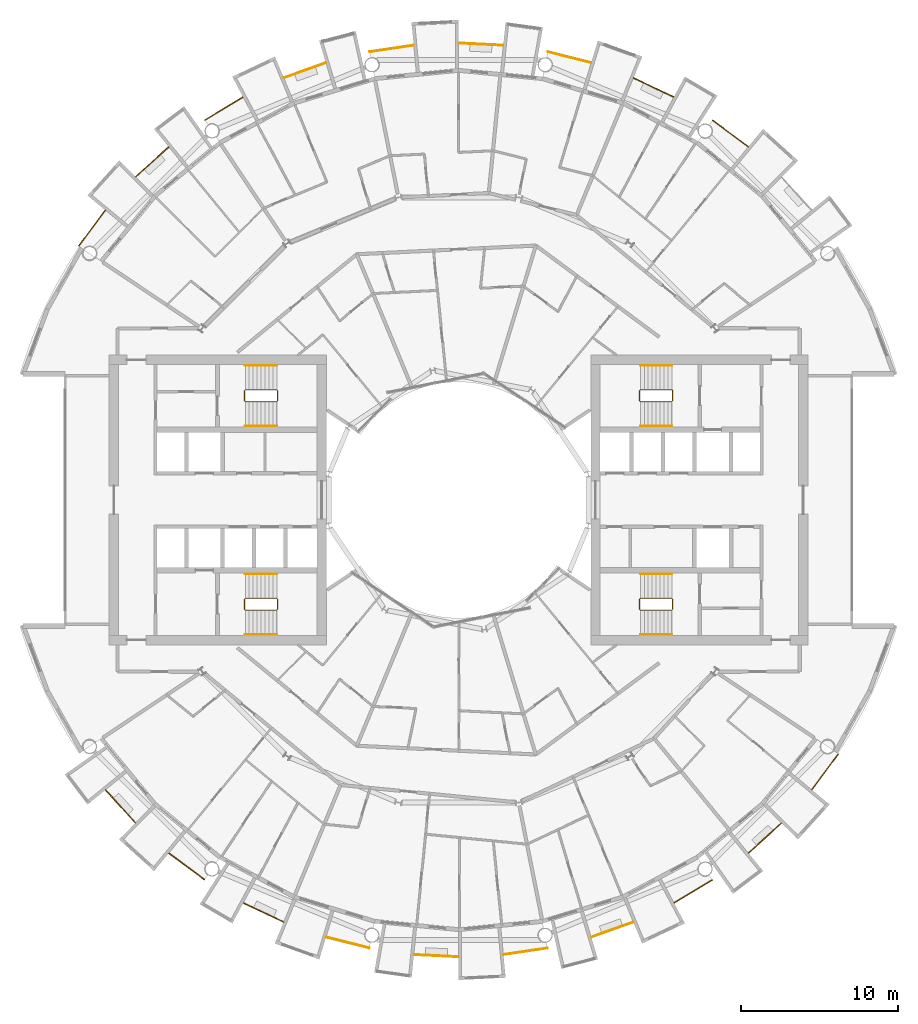
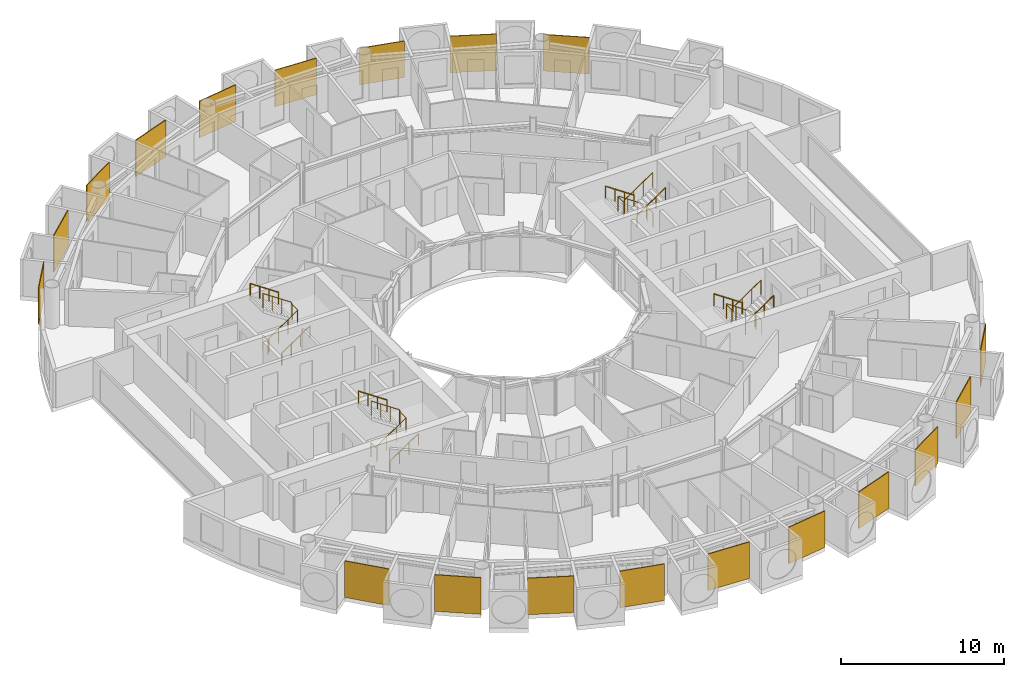
# One storey, part 26 of 27: 31 railings.
"""IFC4 building model written with IfcOpenShell, lengths in metres."""

from ifc_helpers import new_model, si_unit, direction, frame, origin, origin_2d, place, context, subcontext, project, spatial, polyline, circle, outline, extrude, material, layer, layer_set, type_object, element, save


model = new_model("IFC4")

# Units and contexts
model_context = context("Model", 3, precision=1e-05, world=origin(), true_north=direction((0.0, 1.0)))
body_context = subcontext(model_context, "Body", "Model", "MODEL_VIEW")
ifc_project = project(units=[si_unit("LENGTHUNIT", "METRE"), si_unit("AREAUNIT", "SQUARE_METRE"), si_unit("VOLUMEUNIT", "CUBIC_METRE"), si_unit("PLANEANGLEUNIT", "RADIAN"), si_unit("MASSUNIT", "GRAM", prefix="KILO")], contexts=[model_context])

# Site, building, storey
site_placement = place(None, origin())
site = spatial("IfcSite", under=ifc_project, at=site_placement, CompositionType="ELEMENT")
building_placement = place(site_placement, origin())
building = spatial("IfcBuilding", under=site, at=building_placement, Name="Maasbend Ring Residences", CompositionType="ELEMENT")
storey_placement = place(building_placement, frame((0.0, 0.0, 114.699951171875)))
storey = spatial("IfcBuildingStorey", under=building, at=storey_placement, Name="L32", CompositionType="ELEMENT", Elevation=114.699951171875)

# Railings
ifc_material_1 = material(Name="Pale anodised perforated aluminium", Category="aluminium")
ifc_layer = layer(ifc_material_1, 0.06005859375)
ifc_layer_set = layer_set([ifc_layer], Name="SCREEN-P")
railing_type_1 = type_object("IfcRailingType", Name="SCREEN-P", PredefinedType="GUARDRAIL", material=ifc_layer_set)
railing_1_placement = place(storey_placement, frame((0.0, 0.0, -0.030029296875)))
element("IfcRailing", 1, at=railing_1_placement, inside=storey, type_object=railing_type_1, Name="Perforated screen guard 2", PredefinedType="GUARDRAIL", context=body_context, shape_type="SweptSolid", body=[
    extrude(outline(polyline([(18.39697265625, 22.4169921875), (16.112060546875, 24.113037109375), (16.14697265625, 24.160888671875), (18.43310546875, 22.465087890625), (18.39697265625, 22.4169921875)])), origin(), (0.0, 0.0, 1.0), 2.72998046875),
])
railing_2_placement = place(storey_placement, frame((0.0, 0.0, -0.030029296875)))
element("IfcRailing", 2, at=railing_2_placement, inside=storey, type_object=railing_type_1, Name="Perforated screen guard 3", PredefinedType="GUARDRAIL", context=body_context, shape_type="SweptSolid", body=[
    extrude(outline(polyline([(13.6708984375, 25.575927734375), (11.097900390625, 26.79296875), (11.123046875, 26.846923828125), (13.696044921875, 25.6298828125), (13.6708984375, 25.575927734375)])), origin(), (0.0, 0.0, 1.0), 2.72998046875),
])
railing_3_placement = place(storey_placement, frame((0.0, 0.0, -0.030029296875)))
element("IfcRailing", 3, at=railing_3_placement, inside=storey, type_object=railing_type_1, Name="Perforated screen guard 4", PredefinedType="GUARDRAIL", context=body_context, shape_type="SweptSolid", body=[
    extrude(outline(polyline([(8.41796875, 27.7509765625), (5.657958984375, 28.443115234375), (5.672119140625, 28.5009765625), (8.43310546875, 27.80908203125), (8.41796875, 27.7509765625)])), origin(), (0.0, 0.0, 1.0), 2.72998046875),
])
railing_4_placement = place(storey_placement, frame((0.0, 0.0, -0.030029296875)))
element("IfcRailing", 4, at=railing_4_placement, inside=storey, type_object=railing_type_1, Name="Perforated screen guard 5", PredefinedType="GUARDRAIL", context=body_context, shape_type="SweptSolid", body=[
    extrude(outline(polyline([(2.842041015625, 28.860107421875), (0.0, 29.0), (0.0029296875, 29.06005859375), (2.844970703125, 28.919921875), (2.842041015625, 28.860107421875)])), origin(), (0.0, 0.0, 1.0), 2.72998046875),
])
railing_5_placement = place(storey_placement, frame((0.0, 0.0, -0.030029296875)))
element("IfcRailing", 5, at=railing_5_placement, inside=storey, type_object=railing_type_1, Name="Perforated screen guard 6", PredefinedType="GUARDRAIL", context=body_context, shape_type="SweptSolid", body=[
    extrude(outline(polyline([(-2.842041015625, 28.860107421875), (-5.657958984375, 28.443115234375), (-5.666015625, 28.501953125), (-2.85107421875, 28.919921875), (-2.842041015625, 28.860107421875)])), origin(), (0.0, 0.0, 1.0), 2.72998046875),
])
railing_6_placement = place(storey_placement, frame((0.0, 0.0, -0.030029296875)))
element("IfcRailing", 6, at=railing_6_placement, inside=storey, type_object=railing_type_1, Name="Perforated screen guard 7", PredefinedType="GUARDRAIL", context=body_context, shape_type="SweptSolid", body=[
    extrude(outline(polyline([(-8.41796875, 27.7509765625), (-11.097900390625, 26.79296875), (-11.117919921875, 26.84912109375), (-8.43798828125, 27.80810546875), (-8.41796875, 27.7509765625)])), origin(), (0.0, 0.0, 1.0), 2.72998046875),
])
railing_7_placement = place(storey_placement, frame((0.0, 0.0, -0.030029296875)))
element("IfcRailing", 7, at=railing_7_placement, inside=storey, type_object=railing_type_1, Name="Perforated screen guard 8", PredefinedType="GUARDRAIL", context=body_context, shape_type="SweptSolid", body=[
    extrude(outline(polyline([(-13.6708984375, 25.575927734375), (-16.112060546875, 24.113037109375), (-16.14208984375, 24.1640625), (-13.700927734375, 25.626953125), (-13.6708984375, 25.575927734375)])), origin(), (0.0, 0.0, 1.0), 2.72998046875),
])
railing_8_placement = place(storey_placement, frame((0.0, 0.0, -0.030029296875)))
element("IfcRailing", 8, at=railing_8_placement, inside=storey, type_object=railing_type_1, Name="Perforated screen guard 9", PredefinedType="GUARDRAIL", context=body_context, shape_type="SweptSolid", body=[
    extrude(outline(polyline([(-18.39697265625, 22.4169921875), (-20.506103515625, 20.506103515625), (-20.5458984375, 20.551025390625), (-18.43798828125, 22.4619140625), (-18.39697265625, 22.4169921875)])), origin(), (0.0, 0.0, 1.0), 2.72998046875),
])
railing_9_placement = place(storey_placement, frame((0.0, 0.0, -0.030029296875)))
element("IfcRailing", 9, at=railing_9_placement, inside=storey, type_object=railing_type_1, Name="Perforated screen guard 10", PredefinedType="GUARDRAIL", context=body_context, shape_type="SweptSolid", body=[
    extrude(outline(polyline([(-22.4169921875, 18.39697265625), (-24.113037109375, 16.112060546875), (-24.160888671875, 16.14697265625), (-22.465087890625, 18.43310546875), (-22.4169921875, 18.39697265625)])), origin(), (0.0, 0.0, 1.0), 2.72998046875),
])
railing_10_placement = place(storey_placement, frame((0.0, 0.0, -0.030029296875)))
element("IfcRailing", 10, at=railing_10_placement, inside=storey, type_object=railing_type_1, Name="Perforated screen guard 1", PredefinedType="GUARDRAIL", context=body_context, shape_type="SweptSolid", body=[
    extrude(outline(polyline([(-22.4169921875, -18.39697265625), (-20.506103515625, -20.506103515625), (-20.551025390625, -20.5458984375), (-22.4619140625, -18.43798828125), (-22.4169921875, -18.39697265625)])), origin(), (0.0, 0.0, 1.0), 2.72998046875),
])
railing_11_placement = place(storey_placement, frame((0.0, 0.0, -0.030029296875)))
element("IfcRailing", 11, at=railing_11_placement, inside=storey, type_object=railing_type_1, Name="Perforated screen guard 2", PredefinedType="GUARDRAIL", context=body_context, shape_type="SweptSolid", body=[
    extrude(outline(polyline([(-18.39697265625, -22.4169921875), (-16.112060546875, -24.113037109375), (-16.14697265625, -24.160888671875), (-18.43310546875, -22.465087890625), (-18.39697265625, -22.4169921875)])), origin(), (0.0, 0.0, 1.0), 2.72998046875),
])
railing_12_placement = place(storey_placement, frame((0.0, 0.0, -0.030029296875)))
element("IfcRailing", 12, at=railing_12_placement, inside=storey, type_object=railing_type_1, Name="Perforated screen guard 3", PredefinedType="GUARDRAIL", context=body_context, shape_type="SweptSolid", body=[
    extrude(outline(polyline([(-13.6708984375, -25.575927734375), (-11.097900390625, -26.79296875), (-11.123046875, -26.846923828125), (-13.696044921875, -25.6298828125), (-13.6708984375, -25.575927734375)])), origin(), (0.0, 0.0, 1.0), 2.72998046875),
])
railing_13_placement = place(storey_placement, frame((0.0, 0.0, -0.030029296875)))
element("IfcRailing", 13, at=railing_13_placement, inside=storey, type_object=railing_type_1, Name="Perforated screen guard 4", PredefinedType="GUARDRAIL", context=body_context, shape_type="SweptSolid", body=[
    extrude(outline(polyline([(-8.41796875, -27.7509765625), (-5.657958984375, -28.443115234375), (-5.672119140625, -28.5009765625), (-8.43310546875, -27.80908203125), (-8.41796875, -27.7509765625)])), origin(), (0.0, 0.0, 1.0), 2.72998046875),
])
railing_14_placement = place(storey_placement, frame((0.0, 0.0, -0.030029296875)))
element("IfcRailing", 14, at=railing_14_placement, inside=storey, type_object=railing_type_1, Name="Perforated screen guard 5", PredefinedType="GUARDRAIL", context=body_context, shape_type="SweptSolid", body=[
    extrude(outline(polyline([(-2.842041015625, -28.860107421875), (0.0, -29.0), (-0.0029296875, -29.06005859375), (-2.844970703125, -28.919921875), (-2.842041015625, -28.860107421875)])), origin(), (0.0, 0.0, 1.0), 2.72998046875),
])
railing_15_placement = place(storey_placement, frame((0.0, 0.0, -0.030029296875)))
element("IfcRailing", 15, at=railing_15_placement, inside=storey, type_object=railing_type_1, Name="Perforated screen guard 6", PredefinedType="GUARDRAIL", context=body_context, shape_type="SweptSolid", body=[
    extrude(outline(polyline([(2.842041015625, -28.860107421875), (5.657958984375, -28.443115234375), (5.666015625, -28.501953125), (2.85107421875, -28.919921875), (2.842041015625, -28.860107421875)])), origin(), (0.0, 0.0, 1.0), 2.72998046875),
])
railing_16_placement = place(storey_placement, frame((0.0, 0.0, -0.030029296875)))
element("IfcRailing", 16, at=railing_16_placement, inside=storey, type_object=railing_type_1, Name="Perforated screen guard 7", PredefinedType="GUARDRAIL", context=body_context, shape_type="SweptSolid", body=[
    extrude(outline(polyline([(8.41796875, -27.7509765625), (11.097900390625, -26.79296875), (11.117919921875, -26.84912109375), (8.43798828125, -27.80810546875), (8.41796875, -27.7509765625)])), origin(), (0.0, 0.0, 1.0), 2.72998046875),
])
railing_17_placement = place(storey_placement, frame((0.0, 0.0, -0.030029296875)))
element("IfcRailing", 17, at=railing_17_placement, inside=storey, type_object=railing_type_1, Name="Perforated screen guard 8", PredefinedType="GUARDRAIL", context=body_context, shape_type="SweptSolid", body=[
    extrude(outline(polyline([(13.6708984375, -25.575927734375), (16.112060546875, -24.113037109375), (16.14208984375, -24.1640625), (13.700927734375, -25.626953125), (13.6708984375, -25.575927734375)])), origin(), (0.0, 0.0, 1.0), 2.72998046875),
])
railing_18_placement = place(storey_placement, frame((0.0, 0.0, -0.030029296875)))
element("IfcRailing", 18, at=railing_18_placement, inside=storey, type_object=railing_type_1, Name="Perforated screen guard 9", PredefinedType="GUARDRAIL", context=body_context, shape_type="SweptSolid", body=[
    extrude(outline(polyline([(18.39697265625, -22.4169921875), (20.506103515625, -20.506103515625), (20.5458984375, -20.551025390625), (18.43798828125, -22.4619140625), (18.39697265625, -22.4169921875)])), origin(), (0.0, 0.0, 1.0), 2.72998046875),
])
railing_19_placement = place(storey_placement, frame((0.0, 0.0, -0.030029296875)))
element("IfcRailing", 19, at=railing_19_placement, inside=storey, type_object=railing_type_1, Name="Perforated screen guard 10", PredefinedType="GUARDRAIL", context=body_context, shape_type="SweptSolid", body=[
    extrude(outline(polyline([(22.4169921875, -18.39697265625), (24.113037109375, -16.112060546875), (24.160888671875, -16.14697265625), (22.465087890625, -18.43310546875), (22.4169921875, -18.39697265625)])), origin(), (0.0, 0.0, 1.0), 2.72998046875),
])
ifc_material_2 = material(Name="Stainless steel 316", Category="steel")
railing_type_2 = type_object("IfcRailingType", Name="STAIR GUARD 1100", PredefinedType="GUARDRAIL", material=ifc_material_2)
railing_20_placement = place(storey_placement, frame((13.60009765625, 6.300048828125, 0.0)))
element("IfcRailing", 20, at=railing_20_placement, inside=storey, type_object=railing_type_2, Name="L32 ST-E1 stair guard 1", PredefinedType="GUARDRAIL", context=body_context, shape_type="SweptSolid", body=[
    extrude(circle(Radius=0.02392578125, at=origin_2d()), frame((0.0, 0.0, 1.076171875), z_axis=(0.0, 1.0, 0.0), x_axis=(-1.0, 0.0, 0.0)), (0.0, 0.0, 1.0), 0.64990234375),
    extrude(circle(Radius=0.02392578125, at=origin_2d()), frame((0.0, 0.64990234375, 1.076171875), z_axis=(-0.272562526181, 0.272562526181, 0.92272386912), x_axis=(-0.707106781187, -0.707106781187, 0.0)), (0.0, 0.0, 1.0), 0.18359375),
    extrude(circle(Radius=0.02392578125, at=origin_2d()), frame((-0.050048828125, 0.699951171875, 1.24560546875), z_axis=(-0.827750655447, 0.0, 0.561096116906), x_axis=(0.0, -1.0, 0.0)), (0.0, 0.0, 1.0), 2.416259765625),
    extrude(circle(Radius=0.02392578125, at=origin_2d()), frame((-2.050048828125, 0.699951171875, 2.60107421875), z_axis=(-0.707106781187, -0.707106781187, 0.0), x_axis=(0.707106781187, -0.707106781187, 0.0)), (0.0, 0.0, 1.0), 0.07080078125),
    extrude(circle(Radius=0.02392578125, at=origin_2d()), frame((-2.10009765625, 0.64990234375, 2.60107421875), z_axis=(0.0, -1.0, 0.0), x_axis=(1.0, 0.0, 0.0)), (0.0, 0.0, 1.0), 0.64990234375),
    extrude(circle(Radius=0.02392578125, at=origin_2d()), frame((-2.10009765625, 0.0, 2.60107421875), z_axis=(0.272562526181, -0.272562526181, 0.92272386912), x_axis=(0.707106781187, 0.707106781187, 0.0)), (0.0, 0.0, 1.0), 0.18359375),
    extrude(circle(Radius=0.02392578125, at=origin_2d()), frame((-2.050048828125, -0.050048828125, 2.7705078125), z_axis=(0.827797584762, 0.0, 0.561026878735), x_axis=(0.0, 1.0, 0.0)), (0.0, 0.0, 1.0), 2.416015625),
    extrude(circle(Radius=0.02099609375, at=origin_2d()), origin(), (0.0, 0.0, 1.0), 1.052001953125),
    extrude(circle(Radius=0.02099609375, at=origin_2d()), frame((0.0, 0.64990234375, 0.0)), (0.0, 0.0, 1.0), 1.052001953125),
    extrude(circle(Radius=0.02099609375, at=origin_2d()), frame((-0.050048828125, 0.699951171875, 0.16943359375)), (0.0, 0.0, 1.0), 1.052001953125),
    extrude(circle(Radius=0.02099609375, at=origin_2d()), frame((-0.716796875, 0.699951171875, 0.621337890625)), (0.0, 0.0, 1.0), 1.052001953125),
    extrude(circle(Radius=0.02099609375, at=origin_2d()), frame((-1.38330078125, 0.699951171875, 1.0732421875)), (0.0, 0.0, 1.0), 1.052001953125),
    extrude(circle(Radius=0.02099609375, at=origin_2d()), frame((-2.050048828125, 0.699951171875, 1.525146484375)), (0.0, 0.0, 1.0), 1.052001953125),
    extrude(circle(Radius=0.02099609375, at=origin_2d()), frame((-2.10009765625, 0.64990234375, 1.525146484375)), (0.0, 0.0, 1.0), 1.052001953125),
    extrude(circle(Radius=0.02099609375, at=origin_2d()), frame((-2.10009765625, 0.0, 1.525146484375)), (0.0, 0.0, 1.0), 1.052001953125),
    extrude(circle(Radius=0.02099609375, at=origin_2d()), frame((-2.050048828125, -0.050048828125, 1.694580078125)), (0.0, 0.0, 1.0), 1.052001953125),
    extrude(circle(Radius=0.02099609375, at=origin_2d()), frame((-1.38330078125, -0.050048828125, 2.146484375)), (0.0, 0.0, 1.0), 1.052001953125),
    extrude(circle(Radius=0.02099609375, at=origin_2d()), frame((-0.716796875, -0.050048828125, 2.59814453125)), (0.0, 0.0, 1.0), 1.052001953125),
    extrude(circle(Radius=0.02099609375, at=origin_2d()), frame((-0.050048828125, -0.050048828125, 3.050048828125)), (0.0, 0.0, 1.0), 1.052001953125),
])
railing_21_placement = place(storey_placement, frame((13.60009765625, -6.949951171875, 0.0)))
element("IfcRailing", 21, at=railing_21_placement, inside=storey, type_object=railing_type_2, Name="L32 ST-E2 stair guard 1", PredefinedType="GUARDRAIL", context=body_context, shape_type="SweptSolid", body=[
    extrude(circle(Radius=0.02392578125, at=origin_2d()), frame((0.0, 0.0, 1.076171875), z_axis=(0.0, 1.0, 0.0), x_axis=(-1.0, 0.0, 0.0)), (0.0, 0.0, 1.0), 0.64990234375),
    extrude(circle(Radius=0.02392578125, at=origin_2d()), frame((0.0, 0.64990234375, 1.076171875), z_axis=(-0.272562526181, 0.272562526181, 0.92272386912), x_axis=(-0.707106781187, -0.707106781187, 0.0)), (0.0, 0.0, 1.0), 0.18359375),
    extrude(circle(Radius=0.02392578125, at=origin_2d()), frame((-0.050048828125, 0.699951171875, 1.24560546875), z_axis=(-0.827750655447, 0.0, 0.561096116906), x_axis=(0.0, -1.0, 0.0)), (0.0, 0.0, 1.0), 2.416259765625),
    extrude(circle(Radius=0.02392578125, at=origin_2d()), frame((-2.050048828125, 0.699951171875, 2.60107421875), z_axis=(-0.707106781187, -0.707106781187, 0.0), x_axis=(0.707106781187, -0.707106781187, 0.0)), (0.0, 0.0, 1.0), 0.07080078125),
    extrude(circle(Radius=0.02392578125, at=origin_2d()), frame((-2.10009765625, 0.64990234375, 2.60107421875), z_axis=(0.0, -1.0, 0.0), x_axis=(1.0, 0.0, 0.0)), (0.0, 0.0, 1.0), 0.64990234375),
    extrude(circle(Radius=0.02392578125, at=origin_2d()), frame((-2.10009765625, 0.0, 2.60107421875), z_axis=(0.272562526181, -0.272562526181, 0.92272386912), x_axis=(0.707106781187, 0.707106781187, 0.0)), (0.0, 0.0, 1.0), 0.18359375),
    extrude(circle(Radius=0.02392578125, at=origin_2d()), frame((-2.050048828125, -0.050048828125, 2.7705078125), z_axis=(0.827797584762, 0.0, 0.561026878735), x_axis=(0.0, 1.0, 0.0)), (0.0, 0.0, 1.0), 2.416015625),
    extrude(circle(Radius=0.02099609375, at=origin_2d()), origin(), (0.0, 0.0, 1.0), 1.052001953125),
    extrude(circle(Radius=0.02099609375, at=origin_2d()), frame((0.0, 0.64990234375, 0.0)), (0.0, 0.0, 1.0), 1.052001953125),
    extrude(circle(Radius=0.02099609375, at=origin_2d()), frame((-0.050048828125, 0.699951171875, 0.16943359375)), (0.0, 0.0, 1.0), 1.052001953125),
    extrude(circle(Radius=0.02099609375, at=origin_2d()), frame((-0.716796875, 0.699951171875, 0.621337890625)), (0.0, 0.0, 1.0), 1.052001953125),
    extrude(circle(Radius=0.02099609375, at=origin_2d()), frame((-1.38330078125, 0.699951171875, 1.0732421875)), (0.0, 0.0, 1.0), 1.052001953125),
    extrude(circle(Radius=0.02099609375, at=origin_2d()), frame((-2.050048828125, 0.699951171875, 1.525146484375)), (0.0, 0.0, 1.0), 1.052001953125),
    extrude(circle(Radius=0.02099609375, at=origin_2d()), frame((-2.10009765625, 0.64990234375, 1.525146484375)), (0.0, 0.0, 1.0), 1.052001953125),
    extrude(circle(Radius=0.02099609375, at=origin_2d()), frame((-2.10009765625, 0.0, 1.525146484375)), (0.0, 0.0, 1.0), 1.052001953125),
    extrude(circle(Radius=0.02099609375, at=origin_2d()), frame((-2.050048828125, -0.050048828125, 1.694580078125)), (0.0, 0.0, 1.0), 1.052001953125),
    extrude(circle(Radius=0.02099609375, at=origin_2d()), frame((-1.38330078125, -0.050048828125, 2.146484375)), (0.0, 0.0, 1.0), 1.052001953125),
    extrude(circle(Radius=0.02099609375, at=origin_2d()), frame((-0.716796875, -0.050048828125, 2.59814453125)), (0.0, 0.0, 1.0), 1.052001953125),
    extrude(circle(Radius=0.02099609375, at=origin_2d()), frame((-0.050048828125, -0.050048828125, 3.050048828125)), (0.0, 0.0, 1.0), 1.052001953125),
])
railing_22_placement = place(storey_placement, frame((-13.60009765625, -6.300048828125, 0.0)))
element("IfcRailing", 22, at=railing_22_placement, inside=storey, type_object=railing_type_2, Name="L32 ST-W1 stair guard 1", PredefinedType="GUARDRAIL", context=body_context, shape_type="SweptSolid", body=[
    extrude(circle(Radius=0.02392578125, at=origin_2d()), frame((0.0, 0.0, 1.076171875), z_axis=(0.0, -1.0, 0.0), x_axis=(1.0, 0.0, 0.0)), (0.0, 0.0, 1.0), 0.64990234375),
    extrude(circle(Radius=0.02392578125, at=origin_2d()), frame((0.0, -0.64990234375, 1.076171875), z_axis=(0.272562526181, -0.272562526181, 0.92272386912), x_axis=(0.707106781187, 0.707106781187, 0.0)), (0.0, 0.0, 1.0), 0.18359375),
    extrude(circle(Radius=0.02392578125, at=origin_2d()), frame((0.050048828125, -0.699951171875, 1.24560546875), z_axis=(0.827750655447, 0.0, 0.561096116906), x_axis=(0.0, 1.0, 0.0)), (0.0, 0.0, 1.0), 2.416259765625),
    extrude(circle(Radius=0.02392578125, at=origin_2d()), frame((2.050048828125, -0.699951171875, 2.60107421875), z_axis=(0.707106781187, 0.707106781187, 0.0), x_axis=(-0.707106781187, 0.707106781187, 0.0)), (0.0, 0.0, 1.0), 0.07080078125),
    extrude(circle(Radius=0.02392578125, at=origin_2d()), frame((2.10009765625, -0.64990234375, 2.60107421875), z_axis=(0.0, 1.0, 0.0), x_axis=(-1.0, 0.0, 0.0)), (0.0, 0.0, 1.0), 0.64990234375),
    extrude(circle(Radius=0.02392578125, at=origin_2d()), frame((2.10009765625, 0.0, 2.60107421875), z_axis=(-0.272562526181, 0.272562526181, 0.92272386912), x_axis=(-0.707106781187, -0.707106781187, 0.0)), (0.0, 0.0, 1.0), 0.18359375),
    extrude(circle(Radius=0.02392578125, at=origin_2d()), frame((2.050048828125, 0.050048828125, 2.7705078125), z_axis=(-0.827797584762, 0.0, 0.561026878735), x_axis=(0.0, -1.0, 0.0)), (0.0, 0.0, 1.0), 2.416015625),
    extrude(circle(Radius=0.02099609375, at=origin_2d()), origin(), (0.0, 0.0, 1.0), 1.052001953125),
    extrude(circle(Radius=0.02099609375, at=origin_2d()), frame((0.0, -0.64990234375, 0.0)), (0.0, 0.0, 1.0), 1.052001953125),
    extrude(circle(Radius=0.02099609375, at=origin_2d()), frame((0.050048828125, -0.699951171875, 0.16943359375)), (0.0, 0.0, 1.0), 1.052001953125),
    extrude(circle(Radius=0.02099609375, at=origin_2d()), frame((0.716796875, -0.699951171875, 0.621337890625)), (0.0, 0.0, 1.0), 1.052001953125),
    extrude(circle(Radius=0.02099609375, at=origin_2d()), frame((1.38330078125, -0.699951171875, 1.0732421875)), (0.0, 0.0, 1.0), 1.052001953125),
    extrude(circle(Radius=0.02099609375, at=origin_2d()), frame((2.050048828125, -0.699951171875, 1.525146484375)), (0.0, 0.0, 1.0), 1.052001953125),
    extrude(circle(Radius=0.02099609375, at=origin_2d()), frame((2.10009765625, -0.64990234375, 1.525146484375)), (0.0, 0.0, 1.0), 1.052001953125),
    extrude(circle(Radius=0.02099609375, at=origin_2d()), frame((2.10009765625, 0.0, 1.525146484375)), (0.0, 0.0, 1.0), 1.052001953125),
    extrude(circle(Radius=0.02099609375, at=origin_2d()), frame((2.050048828125, 0.050048828125, 1.694580078125)), (0.0, 0.0, 1.0), 1.052001953125),
    extrude(circle(Radius=0.02099609375, at=origin_2d()), frame((1.38330078125, 0.050048828125, 2.146484375)), (0.0, 0.0, 1.0), 1.052001953125),
    extrude(circle(Radius=0.02099609375, at=origin_2d()), frame((0.716796875, 0.050048828125, 2.59814453125)), (0.0, 0.0, 1.0), 1.052001953125),
    extrude(circle(Radius=0.02099609375, at=origin_2d()), frame((0.050048828125, 0.050048828125, 3.050048828125)), (0.0, 0.0, 1.0), 1.052001953125),
])
railing_23_placement = place(storey_placement, frame((-13.60009765625, 6.949951171875, 0.0)))
element("IfcRailing", 23, at=railing_23_placement, inside=storey, type_object=railing_type_2, Name="L32 ST-W2 stair guard 1", PredefinedType="GUARDRAIL", context=body_context, shape_type="SweptSolid", body=[
    extrude(circle(Radius=0.02392578125, at=origin_2d()), frame((0.0, 0.0, 1.076171875), z_axis=(0.0, -1.0, 0.0), x_axis=(1.0, 0.0, 0.0)), (0.0, 0.0, 1.0), 0.64990234375),
    extrude(circle(Radius=0.02392578125, at=origin_2d()), frame((0.0, -0.64990234375, 1.076171875), z_axis=(0.272562526181, -0.272562526181, 0.92272386912), x_axis=(0.707106781187, 0.707106781187, 0.0)), (0.0, 0.0, 1.0), 0.18359375),
    extrude(circle(Radius=0.02392578125, at=origin_2d()), frame((0.050048828125, -0.699951171875, 1.24560546875), z_axis=(0.827750655447, 0.0, 0.561096116906), x_axis=(0.0, 1.0, 0.0)), (0.0, 0.0, 1.0), 2.416259765625),
    extrude(circle(Radius=0.02392578125, at=origin_2d()), frame((2.050048828125, -0.699951171875, 2.60107421875), z_axis=(0.707106781187, 0.707106781187, 0.0), x_axis=(-0.707106781187, 0.707106781187, 0.0)), (0.0, 0.0, 1.0), 0.07080078125),
    extrude(circle(Radius=0.02392578125, at=origin_2d()), frame((2.10009765625, -0.64990234375, 2.60107421875), z_axis=(0.0, 1.0, 0.0), x_axis=(-1.0, 0.0, 0.0)), (0.0, 0.0, 1.0), 0.64990234375),
    extrude(circle(Radius=0.02392578125, at=origin_2d()), frame((2.10009765625, 0.0, 2.60107421875), z_axis=(-0.272562526181, 0.272562526181, 0.92272386912), x_axis=(-0.707106781187, -0.707106781187, 0.0)), (0.0, 0.0, 1.0), 0.18359375),
    extrude(circle(Radius=0.02392578125, at=origin_2d()), frame((2.050048828125, 0.050048828125, 2.7705078125), z_axis=(-0.827797584762, 0.0, 0.561026878735), x_axis=(0.0, -1.0, 0.0)), (0.0, 0.0, 1.0), 2.416015625),
    extrude(circle(Radius=0.02099609375, at=origin_2d()), origin(), (0.0, 0.0, 1.0), 1.052001953125),
    extrude(circle(Radius=0.02099609375, at=origin_2d()), frame((0.0, -0.64990234375, 0.0)), (0.0, 0.0, 1.0), 1.052001953125),
    extrude(circle(Radius=0.02099609375, at=origin_2d()), frame((0.050048828125, -0.699951171875, 0.16943359375)), (0.0, 0.0, 1.0), 1.052001953125),
    extrude(circle(Radius=0.02099609375, at=origin_2d()), frame((0.716796875, -0.699951171875, 0.621337890625)), (0.0, 0.0, 1.0), 1.052001953125),
    extrude(circle(Radius=0.02099609375, at=origin_2d()), frame((1.38330078125, -0.699951171875, 1.0732421875)), (0.0, 0.0, 1.0), 1.052001953125),
    extrude(circle(Radius=0.02099609375, at=origin_2d()), frame((2.050048828125, -0.699951171875, 1.525146484375)), (0.0, 0.0, 1.0), 1.052001953125),
    extrude(circle(Radius=0.02099609375, at=origin_2d()), frame((2.10009765625, -0.64990234375, 1.525146484375)), (0.0, 0.0, 1.0), 1.052001953125),
    extrude(circle(Radius=0.02099609375, at=origin_2d()), frame((2.10009765625, 0.0, 1.525146484375)), (0.0, 0.0, 1.0), 1.052001953125),
    extrude(circle(Radius=0.02099609375, at=origin_2d()), frame((2.050048828125, 0.050048828125, 1.694580078125)), (0.0, 0.0, 1.0), 1.052001953125),
    extrude(circle(Radius=0.02099609375, at=origin_2d()), frame((1.38330078125, 0.050048828125, 2.146484375)), (0.0, 0.0, 1.0), 1.052001953125),
    extrude(circle(Radius=0.02099609375, at=origin_2d()), frame((0.716796875, 0.050048828125, 2.59814453125)), (0.0, 0.0, 1.0), 1.052001953125),
    extrude(circle(Radius=0.02099609375, at=origin_2d()), frame((0.050048828125, 0.050048828125, 3.050048828125)), (0.0, 0.0, 1.0), 1.052001953125),
])
ifc_material_3 = material(Name="Stainless steel 316", Category="steel")
railing_type_3 = type_object("IfcRailingType", Name="STAIR HANDRAIL 900", PredefinedType="HANDRAIL", material=ifc_material_3)
railing_24_placement = place(storey_placement, frame((13.550048828125, 8.550048828125, 0.16943359375)))
element("IfcRailing", 24, at=railing_24_placement, inside=storey, type_object=railing_type_3, Name="L32 ST-E1 stair handrail 1", PredefinedType="HANDRAIL", context=body_context, shape_type="SweptSolid", body=[
    extrude(circle(Radius=0.02392578125, at=origin_2d()), frame((0.0, 0.0, 0.8759765625), z_axis=(-0.827750655447, 0.0, 0.561096116906), x_axis=(0.0, -1.0, 0.0)), (0.0, 0.0, 1.0), 2.416259765625),
    extrude(circle(Radius=0.02099609375, at=origin_2d()), origin(), (0.0, 0.0, 1.0), 0.851806640625),
    extrude(circle(Radius=0.02099609375, at=origin_2d()), frame((-0.666748046875, 0.0, 0.451904296875)), (0.0, 0.0, 1.0), 0.851806640625),
    extrude(circle(Radius=0.02099609375, at=origin_2d()), frame((-1.333251953125, 0.0, 0.90380859375)), (0.0, 0.0, 1.0), 0.851806640625),
    extrude(circle(Radius=0.02099609375, at=origin_2d()), frame((-2.0, 0.0, 1.355712890625)), (0.0, 0.0, 1.0), 0.851806640625),
])
railing_25_placement = place(storey_placement, frame((11.550048828125, 4.699951171875, 1.694580078125)))
element("IfcRailing", 25, at=railing_25_placement, inside=storey, type_object=railing_type_3, Name="L32 ST-E1 stair handrail 2", PredefinedType="HANDRAIL", context=body_context, shape_type="SweptSolid", body=[
    extrude(circle(Radius=0.02392578125, at=origin_2d()), frame((0.0, 0.0, 0.8759765625), z_axis=(0.827797584762, 0.0, 0.561026878735), x_axis=(0.0, 1.0, 0.0)), (0.0, 0.0, 1.0), 2.416015625),
    extrude(circle(Radius=0.02099609375, at=origin_2d()), origin(), (0.0, 0.0, 1.0), 0.851806640625),
    extrude(circle(Radius=0.02099609375, at=origin_2d()), frame((0.666748046875, 0.0, 0.451904296875)), (0.0, 0.0, 1.0), 0.851806640625),
    extrude(circle(Radius=0.02099609375, at=origin_2d()), frame((1.333251953125, 0.0, 0.903564453125)), (0.0, 0.0, 1.0), 0.851806640625),
    extrude(circle(Radius=0.02099609375, at=origin_2d()), frame((2.0, 0.0, 1.35546875)), (0.0, 0.0, 1.0), 0.851806640625),
])
railing_26_placement = place(storey_placement, frame((13.550048828125, -4.699951171875, 0.16943359375)))
element("IfcRailing", 26, at=railing_26_placement, inside=storey, type_object=railing_type_3, Name="L32 ST-E2 stair handrail 1", PredefinedType="HANDRAIL", context=body_context, shape_type="SweptSolid", body=[
    extrude(circle(Radius=0.02392578125, at=origin_2d()), frame((0.0, 0.0, 0.8759765625), z_axis=(-0.827750655447, 0.0, 0.561096116906), x_axis=(0.0, -1.0, 0.0)), (0.0, 0.0, 1.0), 2.416259765625),
    extrude(circle(Radius=0.02099609375, at=origin_2d()), origin(), (0.0, 0.0, 1.0), 0.851806640625),
    extrude(circle(Radius=0.02099609375, at=origin_2d()), frame((-0.666748046875, 0.0, 0.451904296875)), (0.0, 0.0, 1.0), 0.851806640625),
    extrude(circle(Radius=0.02099609375, at=origin_2d()), frame((-1.333251953125, 0.0, 0.90380859375)), (0.0, 0.0, 1.0), 0.851806640625),
    extrude(circle(Radius=0.02099609375, at=origin_2d()), frame((-2.0, 0.0, 1.355712890625)), (0.0, 0.0, 1.0), 0.851806640625),
])
railing_27_placement = place(storey_placement, frame((11.550048828125, -8.550048828125, 1.694580078125)))
element("IfcRailing", 27, at=railing_27_placement, inside=storey, type_object=railing_type_3, Name="L32 ST-E2 stair handrail 2", PredefinedType="HANDRAIL", context=body_context, shape_type="SweptSolid", body=[
    extrude(circle(Radius=0.02392578125, at=origin_2d()), frame((0.0, 0.0, 0.8759765625), z_axis=(0.827797584762, 0.0, 0.561026878735), x_axis=(0.0, 1.0, 0.0)), (0.0, 0.0, 1.0), 2.416015625),
    extrude(circle(Radius=0.02099609375, at=origin_2d()), origin(), (0.0, 0.0, 1.0), 0.851806640625),
    extrude(circle(Radius=0.02099609375, at=origin_2d()), frame((0.666748046875, 0.0, 0.451904296875)), (0.0, 0.0, 1.0), 0.851806640625),
    extrude(circle(Radius=0.02099609375, at=origin_2d()), frame((1.333251953125, 0.0, 0.903564453125)), (0.0, 0.0, 1.0), 0.851806640625),
    extrude(circle(Radius=0.02099609375, at=origin_2d()), frame((2.0, 0.0, 1.35546875)), (0.0, 0.0, 1.0), 0.851806640625),
])
railing_28_placement = place(storey_placement, frame((-13.550048828125, -8.550048828125, 0.16943359375)))
element("IfcRailing", 28, at=railing_28_placement, inside=storey, type_object=railing_type_3, Name="L32 ST-W1 stair handrail 1", PredefinedType="HANDRAIL", context=body_context, shape_type="SweptSolid", body=[
    extrude(circle(Radius=0.02392578125, at=origin_2d()), frame((0.0, 0.0, 0.8759765625), z_axis=(0.827750655447, 0.0, 0.561096116906), x_axis=(0.0, 1.0, 0.0)), (0.0, 0.0, 1.0), 2.416259765625),
    extrude(circle(Radius=0.02099609375, at=origin_2d()), origin(), (0.0, 0.0, 1.0), 0.851806640625),
    extrude(circle(Radius=0.02099609375, at=origin_2d()), frame((0.666748046875, 0.0, 0.451904296875)), (0.0, 0.0, 1.0), 0.851806640625),
    extrude(circle(Radius=0.02099609375, at=origin_2d()), frame((1.333251953125, 0.0, 0.90380859375)), (0.0, 0.0, 1.0), 0.851806640625),
    extrude(circle(Radius=0.02099609375, at=origin_2d()), frame((2.0, 0.0, 1.355712890625)), (0.0, 0.0, 1.0), 0.851806640625),
])
railing_29_placement = place(storey_placement, frame((-11.550048828125, -4.699951171875, 1.694580078125)))
element("IfcRailing", 29, at=railing_29_placement, inside=storey, type_object=railing_type_3, Name="L32 ST-W1 stair handrail 2", PredefinedType="HANDRAIL", context=body_context, shape_type="SweptSolid", body=[
    extrude(circle(Radius=0.02392578125, at=origin_2d()), frame((0.0, 0.0, 0.8759765625), z_axis=(-0.827797584762, 0.0, 0.561026878735), x_axis=(0.0, -1.0, 0.0)), (0.0, 0.0, 1.0), 2.416015625),
    extrude(circle(Radius=0.02099609375, at=origin_2d()), origin(), (0.0, 0.0, 1.0), 0.851806640625),
    extrude(circle(Radius=0.02099609375, at=origin_2d()), frame((-0.666748046875, 0.0, 0.451904296875)), (0.0, 0.0, 1.0), 0.851806640625),
    extrude(circle(Radius=0.02099609375, at=origin_2d()), frame((-1.333251953125, 0.0, 0.903564453125)), (0.0, 0.0, 1.0), 0.851806640625),
    extrude(circle(Radius=0.02099609375, at=origin_2d()), frame((-2.0, 0.0, 1.35546875)), (0.0, 0.0, 1.0), 0.851806640625),
])
railing_30_placement = place(storey_placement, frame((-13.550048828125, 4.699951171875, 0.16943359375)))
element("IfcRailing", 30, at=railing_30_placement, inside=storey, type_object=railing_type_3, Name="L32 ST-W2 stair handrail 1", PredefinedType="HANDRAIL", context=body_context, shape_type="SweptSolid", body=[
    extrude(circle(Radius=0.02392578125, at=origin_2d()), frame((0.0, 0.0, 0.8759765625), z_axis=(0.827750655447, 0.0, 0.561096116906), x_axis=(0.0, 1.0, 0.0)), (0.0, 0.0, 1.0), 2.416259765625),
    extrude(circle(Radius=0.02099609375, at=origin_2d()), origin(), (0.0, 0.0, 1.0), 0.851806640625),
    extrude(circle(Radius=0.02099609375, at=origin_2d()), frame((0.666748046875, 0.0, 0.451904296875)), (0.0, 0.0, 1.0), 0.851806640625),
    extrude(circle(Radius=0.02099609375, at=origin_2d()), frame((1.333251953125, 0.0, 0.90380859375)), (0.0, 0.0, 1.0), 0.851806640625),
    extrude(circle(Radius=0.02099609375, at=origin_2d()), frame((2.0, 0.0, 1.355712890625)), (0.0, 0.0, 1.0), 0.851806640625),
])
railing_31_placement = place(storey_placement, frame((-11.550048828125, 8.550048828125, 1.694580078125)))
element("IfcRailing", 31, at=railing_31_placement, inside=storey, type_object=railing_type_3, Name="L32 ST-W2 stair handrail 2", PredefinedType="HANDRAIL", context=body_context, shape_type="SweptSolid", body=[
    extrude(circle(Radius=0.02392578125, at=origin_2d()), frame((0.0, 0.0, 0.8759765625), z_axis=(-0.827797584762, 0.0, 0.561026878735), x_axis=(0.0, -1.0, 0.0)), (0.0, 0.0, 1.0), 2.416015625),
    extrude(circle(Radius=0.02099609375, at=origin_2d()), origin(), (0.0, 0.0, 1.0), 0.851806640625),
    extrude(circle(Radius=0.02099609375, at=origin_2d()), frame((-0.666748046875, 0.0, 0.451904296875)), (0.0, 0.0, 1.0), 0.851806640625),
    extrude(circle(Radius=0.02099609375, at=origin_2d()), frame((-1.333251953125, 0.0, 0.903564453125)), (0.0, 0.0, 1.0), 0.851806640625),
    extrude(circle(Radius=0.02099609375, at=origin_2d()), frame((-2.0, 0.0, 1.35546875)), (0.0, 0.0, 1.0), 0.851806640625),
])

save(model, "model.ifc")
